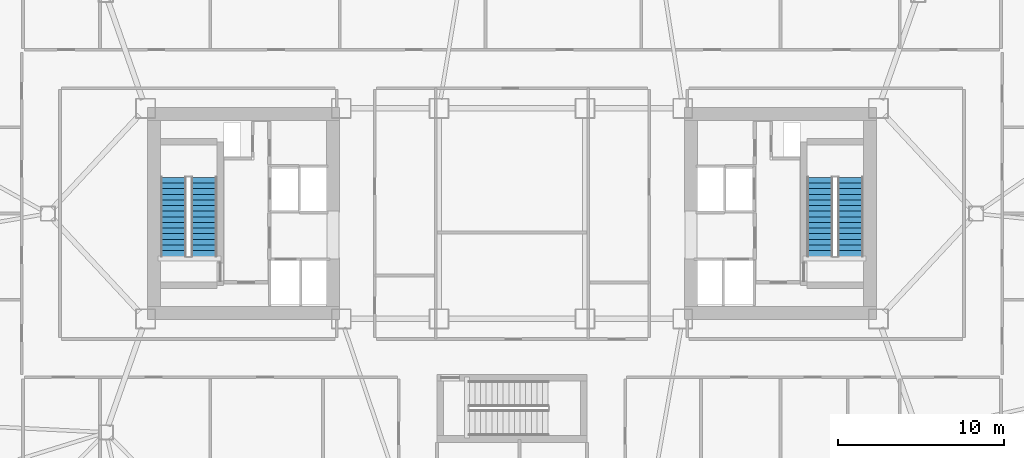
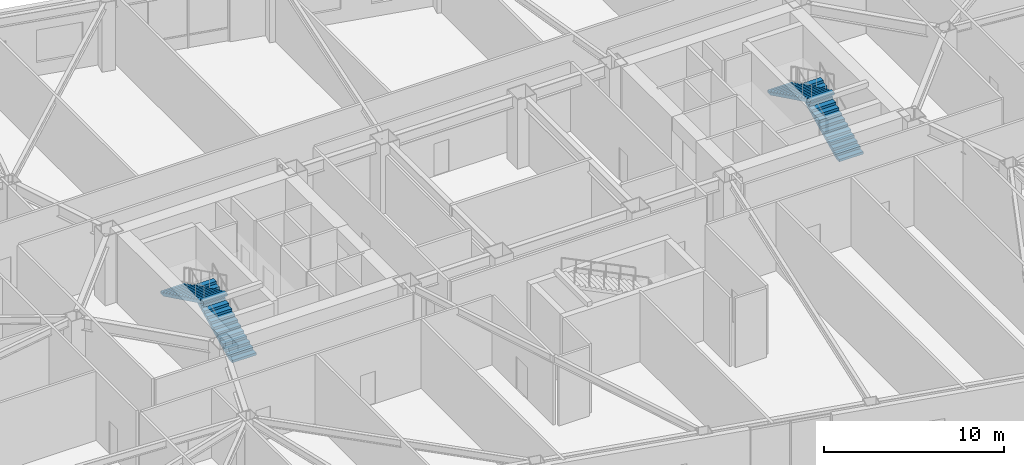
# One storey, part 14 of 20: 4 stair flights, 2 elements without a shape of their own.
"""IFC4 building model written with IfcOpenShell, lengths in metres."""

from ifc_helpers import new_model, si_unit, direction, frame, origin, place, context, subcontext, project, spatial, polyline, outline, extrude, material, type_object, element, aggregate, save


model = new_model("IFC4")

# Units and contexts
model_context = context("Model", 3, precision=1e-05, world=origin(), true_north=direction((0.0, 1.0)))
body_context = subcontext(model_context, "Body", "Model", "MODEL_VIEW")
ifc_project = project(units=[si_unit("LENGTHUNIT", "METRE"), si_unit("AREAUNIT", "SQUARE_METRE"), si_unit("VOLUMEUNIT", "CUBIC_METRE"), si_unit("PLANEANGLEUNIT", "RADIAN"), si_unit("MASSUNIT", "GRAM", prefix="KILO")], contexts=[model_context])

# Site, building, storey
site_placement = place(None, origin())
site = spatial("IfcSite", under=ifc_project, at=site_placement, CompositionType="ELEMENT")
building_placement = place(site_placement, origin())
building = spatial("IfcBuilding", under=site, at=building_placement, Name="Tavrogorsk Clinical Tower", CompositionType="ELEMENT")
storey_placement = place(building_placement, frame((0.0, 0.0, 18.39990234375)))
storey = spatial("IfcBuildingStorey", under=building, at=storey_placement, Name="L03", CompositionType="ELEMENT", Elevation=18.39990234375)

# Stair, stair flights
ifc_material_1 = material(Name="Concrete B60", Category="concrete")
stair_type = type_object("IfcStairType", Name="CoreStairAssembly", PredefinedType="HALF_TURN_STAIR", material=ifc_material_1)
stair_1_placement = place(storey_placement, origin())
stair_1 = element("IfcStair", 1, at=stair_1_placement, inside=storey, type_object=stair_type, Name="L03 ST-W", PredefinedType="HALF_TURN_STAIR")
ifc_material_2 = material(Name="Concrete B60", Category="concrete")
stair_flight_type = type_object("IfcStairFlightType", Name="CoreStairFlight", PredefinedType="STRAIGHT", material=ifc_material_2)
stair_flight_1_placement = place(storey_placement, frame((-18.574951171875, -2.574951171875, 0.0), z_axis=(0.0, 0.0, 1.0), x_axis=(0.0, 1.0, 0.0)))
stair_flight_1 = element("IfcStairFlight", 2, at=stair_flight_1_placement, type_object=stair_flight_type, Name="ST-W flight 1", NumberOfRisers=15, NumberOfTreads=14, PredefinedType="STRAIGHT", RiserHeight=0.166666667, TreadLength=0.34, context=body_context, shape_type="SweptSolid", body=[
    extrude(outline(polyline([(0.0, 0.0), (0.0, 0.166748046875), (0.340087890625, 0.166748046875), (0.340087890625, 0.333251953125), (0.679931640625, 0.333251953125), (0.679931640625, 0.5), (1.02001953125, 0.5), (1.02001953125, 0.666748046875), (1.360107421875, 0.666748046875), (1.360107421875, 0.833251953125), (1.699951171875, 0.833251953125), (1.699951171875, 1.0), (2.0400390625, 1.0), (2.0400390625, 1.166748046875), (2.3798828125, 1.166748046875), (2.3798828125, 1.333251953125), (2.719970703125, 1.333251953125), (2.719970703125, 1.5), (3.06005859375, 1.5), (3.06005859375, 1.666748046875), (3.39990234375, 1.666748046875), (3.39990234375, 1.833251953125), (3.739990234375, 1.833251953125), (3.739990234375, 2.0), (4.080078125, 2.0), (4.080078125, 2.166748046875), (4.419921875, 2.166748046875), (4.419921875, 2.333251953125), (4.760009765625, 2.333251953125), (4.760009765625, 2.5), (4.760009765625, 2.16650390625), (0.340576171875, 0.0), (0.0, 0.0)])), frame((0.0, 0.77490234375, 0.0), z_axis=(0.0, -1.0, 0.0), x_axis=(1.0, 0.0, 0.0)), (0.0, 0.0, 1.0), 1.550048828125),
])
stair_flight_2_placement = place(storey_placement, frame((-20.425048828125, 2.18505859375, 2.5), z_axis=(0.0, 0.0, 1.0), x_axis=(0.0, -1.0, 0.0)))
stair_flight_2 = element("IfcStairFlight", 3, at=stair_flight_2_placement, type_object=stair_flight_type, Name="ST-W flight 2", NumberOfRisers=15, NumberOfTreads=14, PredefinedType="STRAIGHT", RiserHeight=0.166666667, TreadLength=0.34, context=body_context, shape_type="SweptSolid", body=[
    extrude(outline(polyline([(0.0, 0.0), (0.0, 0.166748046875), (0.340087890625, 0.166748046875), (0.340087890625, 0.333251953125), (0.679931640625, 0.333251953125), (0.679931640625, 0.5), (1.02001953125, 0.5), (1.02001953125, 0.666748046875), (1.360107421875, 0.666748046875), (1.360107421875, 0.833251953125), (1.699951171875, 0.833251953125), (1.699951171875, 1.0), (2.0400390625, 1.0), (2.0400390625, 1.166748046875), (2.3798828125, 1.166748046875), (2.3798828125, 1.333251953125), (2.719970703125, 1.333251953125), (2.719970703125, 1.5), (3.06005859375, 1.5), (3.06005859375, 1.666748046875), (3.39990234375, 1.666748046875), (3.39990234375, 1.833251953125), (3.739990234375, 1.833251953125), (3.739990234375, 2.0), (4.080078125, 2.0), (4.080078125, 2.166748046875), (4.419921875, 2.166748046875), (4.419921875, 2.333251953125), (4.760009765625, 2.333251953125), (4.760009765625, 2.5), (4.760009765625, 2.16650390625), (0.340576171875, 0.0), (0.0, 0.0)])), frame((0.0, 0.77490234375, 0.0), z_axis=(0.0, -1.0, 0.0), x_axis=(1.0, 0.0, 0.0)), (0.0, 0.0, 1.0), 1.550048828125),
])
aggregate(stair_1, [stair_flight_1, stair_flight_2])

stair_2_placement = place(storey_placement, origin())
stair_2 = element("IfcStair", 4, at=stair_2_placement, inside=storey, type_object=stair_type, Name="L03 ST-E", PredefinedType="HALF_TURN_STAIR")
stair_flight_3_placement = place(storey_placement, frame((20.425048828125, -2.574951171875, 0.0), z_axis=(0.0, 0.0, 1.0), x_axis=(0.0, 1.0, 0.0)))
stair_flight_3 = element("IfcStairFlight", 5, at=stair_flight_3_placement, type_object=stair_flight_type, Name="ST-E flight 1", NumberOfRisers=15, NumberOfTreads=14, PredefinedType="STRAIGHT", RiserHeight=0.166666667, TreadLength=0.34, context=body_context, shape_type="SweptSolid", body=[
    extrude(outline(polyline([(0.0, 0.0), (0.0, 0.166748046875), (0.340087890625, 0.166748046875), (0.340087890625, 0.333251953125), (0.679931640625, 0.333251953125), (0.679931640625, 0.5), (1.02001953125, 0.5), (1.02001953125, 0.666748046875), (1.360107421875, 0.666748046875), (1.360107421875, 0.833251953125), (1.699951171875, 0.833251953125), (1.699951171875, 1.0), (2.0400390625, 1.0), (2.0400390625, 1.166748046875), (2.3798828125, 1.166748046875), (2.3798828125, 1.333251953125), (2.719970703125, 1.333251953125), (2.719970703125, 1.5), (3.06005859375, 1.5), (3.06005859375, 1.666748046875), (3.39990234375, 1.666748046875), (3.39990234375, 1.833251953125), (3.739990234375, 1.833251953125), (3.739990234375, 2.0), (4.080078125, 2.0), (4.080078125, 2.166748046875), (4.419921875, 2.166748046875), (4.419921875, 2.333251953125), (4.760009765625, 2.333251953125), (4.760009765625, 2.5), (4.760009765625, 2.16650390625), (0.340576171875, 0.0), (0.0, 0.0)])), frame((0.0, 0.77490234375, 0.0), z_axis=(0.0, -1.0, 0.0), x_axis=(1.0, 0.0, 0.0)), (0.0, 0.0, 1.0), 1.550048828125),
])
stair_flight_4_placement = place(storey_placement, frame((18.574951171875, 2.18505859375, 2.5), z_axis=(0.0, 0.0, 1.0), x_axis=(0.0, -1.0, 0.0)))
stair_flight_4 = element("IfcStairFlight", 6, at=stair_flight_4_placement, type_object=stair_flight_type, Name="ST-E flight 2", NumberOfRisers=15, NumberOfTreads=14, PredefinedType="STRAIGHT", RiserHeight=0.166666667, TreadLength=0.34, context=body_context, shape_type="SweptSolid", body=[
    extrude(outline(polyline([(0.0, 0.0), (0.0, 0.166748046875), (0.340087890625, 0.166748046875), (0.340087890625, 0.333251953125), (0.679931640625, 0.333251953125), (0.679931640625, 0.5), (1.02001953125, 0.5), (1.02001953125, 0.666748046875), (1.360107421875, 0.666748046875), (1.360107421875, 0.833251953125), (1.699951171875, 0.833251953125), (1.699951171875, 1.0), (2.0400390625, 1.0), (2.0400390625, 1.166748046875), (2.3798828125, 1.166748046875), (2.3798828125, 1.333251953125), (2.719970703125, 1.333251953125), (2.719970703125, 1.5), (3.06005859375, 1.5), (3.06005859375, 1.666748046875), (3.39990234375, 1.666748046875), (3.39990234375, 1.833251953125), (3.739990234375, 1.833251953125), (3.739990234375, 2.0), (4.080078125, 2.0), (4.080078125, 2.166748046875), (4.419921875, 2.166748046875), (4.419921875, 2.333251953125), (4.760009765625, 2.333251953125), (4.760009765625, 2.5), (4.760009765625, 2.16650390625), (0.340576171875, 0.0), (0.0, 0.0)])), frame((0.0, 0.77490234375, 0.0), z_axis=(0.0, -1.0, 0.0), x_axis=(1.0, 0.0, 0.0)), (0.0, 0.0, 1.0), 1.550048828125),
])
aggregate(stair_2, [stair_flight_3, stair_flight_4])

save(model, "model.ifc")
